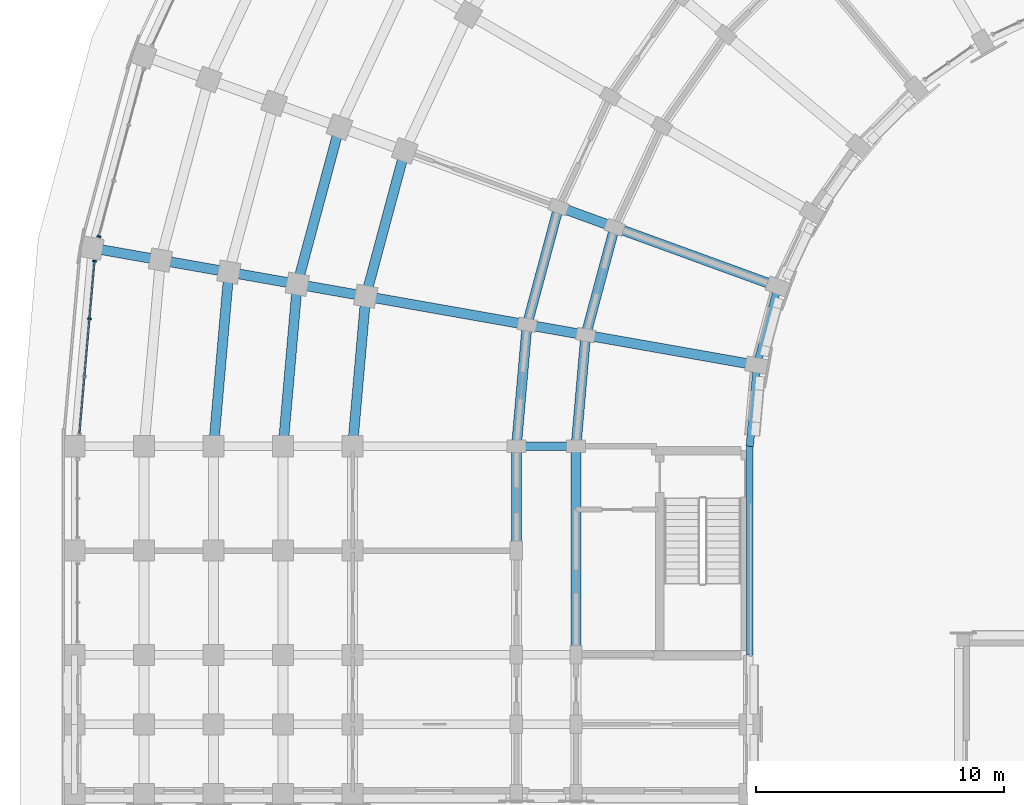
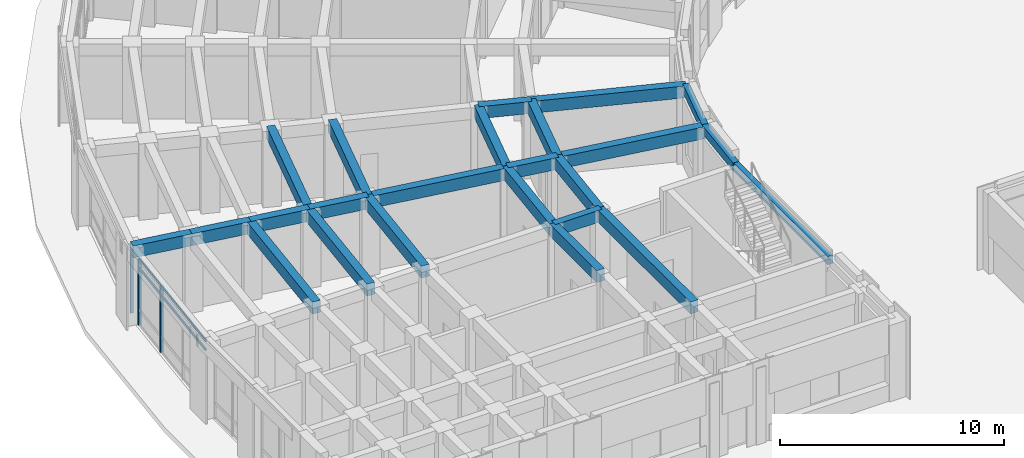
# One storey, part 34 of 135: 24 beams, 5 members, 2 elements without a shape of their own.
"""IFC4 building model written with IfcOpenShell, lengths in metres."""

from ifc_helpers import new_model, si_unit, direction, frame, origin, origin_2d, place, context, subcontext, project, spatial, rectangle, extrude, material, material_profile, profile_set, type_object, element, aggregate, save


model = new_model("IFC4")

# Units and contexts
model_context = context("Model", 3, precision=1e-05, world=origin(), true_north=direction((0.0, 1.0)))
body_context = subcontext(model_context, "Body", "Model", "MODEL_VIEW")
ifc_project = project(units=[si_unit("LENGTHUNIT", "METRE"), si_unit("AREAUNIT", "SQUARE_METRE"), si_unit("VOLUMEUNIT", "CUBIC_METRE"), si_unit("PLANEANGLEUNIT", "RADIAN"), si_unit("MASSUNIT", "GRAM", prefix="KILO")], contexts=[model_context])

# Site, building, storey
site_placement = place(None, origin())
site = spatial("IfcSite", under=ifc_project, at=site_placement, CompositionType="ELEMENT")
building_placement = place(site_placement, origin())
building = spatial("IfcBuilding", under=site, at=building_placement, Name="Kiranvali Square Residences", CompositionType="ELEMENT")
storey_placement = place(building_placement, origin())
storey = spatial("IfcBuildingStorey", under=building, at=storey_placement, Name="L00", CompositionType="ELEMENT", Elevation=0.0)

# Beams
ifc_material_1 = material(Name="Concrete M40 (40 MPa)", Category="concrete")
ifc_material_profile_1 = material_profile(ifc_material_1, rectangle(XDim=0.35009765625, YDim=0.64990234375, at=origin_2d()), Name="RC 350x650")
ifc_profile_set_1 = profile_set([ifc_material_profile_1], Name="Concrete M40 (40 MPa)")
beam_type_1 = type_object("IfcBeamType", Name="BM-M40-350x650", PredefinedType="BEAM", material=ifc_profile_set_1)
beam_1_placement = place(storey_placement, frame((22.39990234375, 87.800048828125, 3.824951171875), z_axis=(-1.0, 0.0, 0.0), x_axis=(0.0, -1.0, 0.0)))
element("IfcBeam", 1, at=beam_1_placement, inside=storey, type_object=beam_type_1, Name="L00 beam BM-A-L00-A2T0-12", PredefinedType="BEAM", context=body_context, shape_type="SweptSolid", body=[
    extrude(rectangle(XDim=0.35009765625, YDim=0.64990234375, at=origin_2d()), origin(), (0.0, 0.0, 1.0), 2.39990234375),
])
ifc_material_2 = material(Name="Concrete M45 (45 MPa)", Category="concrete")
ifc_material_profile_2 = material_profile(ifc_material_2, rectangle(XDim=0.39990234375, YDim=0.64990234375, at=origin_2d()), Name="RC 400x650")
ifc_profile_set_2 = profile_set([ifc_material_profile_2], Name="Concrete M45 (45 MPa)")
beam_type_2 = type_object("IfcBeamType", Name="BM-M45-400x650", PredefinedType="BEAM", material=ifc_profile_set_2)
beam_2_placement = place(storey_placement, frame((23.955810546875, 96.6240234375, 3.824951171875), z_axis=(-0.258787642463, -0.965934240054, 0.0), x_axis=(0.965934240054, -0.258787642463, 0.0)))
element("IfcBeam", 2, at=beam_2_placement, inside=storey, type_object=beam_type_2, Name="L00 beam BM-A-L00-C07-R1", PredefinedType="BEAM", context=body_context, shape_type="SweptSolid", body=[
    extrude(rectangle(XDim=0.39990234375, YDim=0.64990234375, at=origin_2d()), origin(), (0.0, 0.0, 1.0), 4.497314453125),
])
beam_3_placement = place(storey_placement, frame((21.70068359375, 97.445068359375, 3.824951171875), z_axis=(-0.258803112091, -0.965930095386, 0.0), x_axis=(0.965930095386, -0.258803112091, 0.0)))
element("IfcBeam", 3, at=beam_3_placement, inside=storey, type_object=beam_type_2, Name="L00 beam BM-A-L00-C07-R2", PredefinedType="BEAM", context=body_context, shape_type="SweptSolid", body=[
    extrude(rectangle(XDim=0.39990234375, YDim=0.64990234375, at=origin_2d()), origin(), (0.0, 0.0, 1.0), 4.915771484375),
])
beam_4_placement = place(storey_placement, frame((15.498779296875, 99.702392578125, 3.824951171875), z_axis=(-0.258827283048, -0.965923618901, 0.0), x_axis=(0.965923618901, -0.258827283048, 0.0)))
element("IfcBeam", 4, at=beam_4_placement, inside=storey, type_object=beam_type_2, Name="L00 beam BM-A-L00-C07-R3", PredefinedType="BEAM", context=body_context, shape_type="SweptSolid", body=[
    extrude(rectangle(XDim=0.39990234375, YDim=0.64990234375, at=origin_2d()), origin(), (0.0, 0.0, 1.0), 6.066162109375),
])
beam_5_placement = place(storey_placement, frame((12.86767578125, 100.659912109375, 3.824951171875), z_axis=(-0.258847178297, -0.965918287583, 0.0), x_axis=(0.965918287583, -0.258847178297, 0.0)))
element("IfcBeam", 5, at=beam_5_placement, inside=storey, type_object=beam_type_2, Name="L00 beam BM-A-L00-C07-R4", PredefinedType="BEAM", context=body_context, shape_type="SweptSolid", body=[
    extrude(rectangle(XDim=0.39990234375, YDim=0.64990234375, at=origin_2d()), origin(), (0.0, 0.0, 1.0), 6.55419921875),
])
beam_6_placement = place(storey_placement, frame((22.7919921875, 92.280029296875, 3.824951171875), z_axis=(-0.087187153726, -0.996191949488, 0.0), x_axis=(0.996191949488, -0.087187153726, 0.0)))
element("IfcBeam", 6, at=beam_6_placement, inside=storey, type_object=beam_type_2, Name="L00 beam BM-A-L00-C08-R1", PredefinedType="BEAM", context=body_context, shape_type="SweptSolid", body=[
    extrude(rectangle(XDim=0.39990234375, YDim=0.64990234375, at=origin_2d()), origin(), (0.0, 0.0, 1.0), 4.4970703125),
])
beam_7_placement = place(storey_placement, frame((20.428466796875, 92.69677734375, 3.824951171875), z_axis=(-0.087167566415, -0.996193663584, 0.0), x_axis=(0.996193663584, -0.087167566415, 0.0)))
element("IfcBeam", 7, at=beam_7_placement, inside=storey, type_object=beam_type_2, Name="L00 beam BM-A-L00-C08-R2", PredefinedType="BEAM", context=body_context, shape_type="SweptSolid", body=[
    extrude(rectangle(XDim=0.39990234375, YDim=0.64990234375, at=origin_2d()), origin(), (0.0, 0.0, 1.0), 4.91552734375),
])
beam_8_placement = place(storey_placement, frame((13.9287109375, 93.843017578125, 3.824951171875), z_axis=(-0.087174938512, -0.996193018494, 0.0), x_axis=(0.996193018494, -0.087174938512, 0.0)))
element("IfcBeam", 8, at=beam_8_placement, inside=storey, type_object=beam_type_2, Name="L00 beam BM-A-L00-C08-R3", PredefinedType="BEAM", context=body_context, shape_type="SweptSolid", body=[
    extrude(rectangle(XDim=0.39990234375, YDim=0.64990234375, at=origin_2d()), origin(), (0.0, 0.0, 1.0), 6.066162109375),
])
beam_9_placement = place(storey_placement, frame((11.171142578125, 94.3291015625, 3.824951171875), z_axis=(-0.0871295204, -0.996196991902, 0.0), x_axis=(0.996196991902, -0.0871295204, 0.0)))
element("IfcBeam", 9, at=beam_9_placement, inside=storey, type_object=beam_type_2, Name="L00 beam BM-A-L00-C08-R4", PredefinedType="BEAM", context=body_context, shape_type="SweptSolid", body=[
    extrude(rectangle(XDim=0.39990234375, YDim=0.64990234375, at=origin_2d()), origin(), (0.0, 0.0, 1.0), 6.553955078125),
])
beam_10_placement = place(storey_placement, frame((8.413818359375, 94.8154296875, 3.824951171875), z_axis=(-0.087156198737, -0.996194658198, 0.0), x_axis=(0.996194658198, -0.087156198737, 0.0)))
element("IfcBeam", 10, at=beam_10_placement, inside=storey, type_object=beam_type_2, Name="L00 beam BM-A-L00-C08-R5", PredefinedType="BEAM", context=body_context, shape_type="SweptSolid", body=[
    extrude(rectangle(XDim=0.39990234375, YDim=0.64990234375, at=origin_2d()), origin(), (0.0, 0.0, 1.0), 7.042236328125),
])
beam_11_placement = place(storey_placement, frame((30.53369140625, 94.22998046875, 3.824951171875), z_axis=(-0.939697665127, 0.342006283793, 0.0), x_axis=(-0.342006283793, -0.939697665127, 0.0)))
element("IfcBeam", 11, at=beam_11_placement, inside=storey, type_object=beam_type_2, Name="L00 beam BM-A-L00-RAD07-01", PredefinedType="BEAM", context=body_context, shape_type="SweptSolid", body=[
    extrude(rectangle(XDim=0.39990234375, YDim=0.64990234375, at=origin_2d()), origin(), (0.0, 0.0, 1.0), 7.0),
])
beam_12_placement = place(storey_placement, frame((23.955810546875, 96.6240234375, 3.824951171875), z_axis=(-0.939659694648, 0.342110593602, 0.0), x_axis=(-0.342110593602, -0.939659694648, 0.0)))
element("IfcBeam", 12, at=beam_12_placement, inside=storey, type_object=beam_type_2, Name="L00 beam BM-A-L00-RAD07-12", PredefinedType="BEAM", context=body_context, shape_type="SweptSolid", body=[
    extrude(rectangle(XDim=0.39990234375, YDim=0.64990234375, at=origin_2d()), origin(), (0.0, 0.0, 1.0), 2.39990234375),
])
beam_13_placement = place(storey_placement, frame((29.685546875, 91.064697265625, 3.824951171875), z_axis=(-0.984812337125, 0.173622177865, 0.0), x_axis=(-0.173622177865, -0.984812337125, 0.0)))
element("IfcBeam", 13, at=beam_13_placement, inside=storey, type_object=beam_type_2, Name="L00 beam BM-A-L00-RAD08-01", PredefinedType="BEAM", context=body_context, shape_type="SweptSolid", body=[
    extrude(rectangle(XDim=0.39990234375, YDim=0.64990234375, at=origin_2d()), origin(), (0.0, 0.0, 1.0), 6.999755859375),
])
beam_14_placement = place(storey_placement, frame((22.7919921875, 92.280029296875, 3.824951171875), z_axis=(-0.984808127031, 0.173646056486, 0.0), x_axis=(-0.173646056486, -0.984808127031, 0.0)))
element("IfcBeam", 14, at=beam_14_placement, inside=storey, type_object=beam_type_2, Name="L00 beam BM-A-L00-RAD08-12", PredefinedType="BEAM", context=body_context, shape_type="SweptSolid", body=[
    extrude(rectangle(XDim=0.39990234375, YDim=0.64990234375, at=origin_2d()), origin(), (0.0, 0.0, 1.0), 2.39990234375),
])
beam_15_placement = place(storey_placement, frame((20.428466796875, 92.69677734375, 3.824951171875), z_axis=(-0.984803661269, 0.173671381499, 0.0), x_axis=(-0.173671381499, -0.984803661269, 0.0)))
element("IfcBeam", 15, at=beam_15_placement, inside=storey, type_object=beam_type_2, Name="L00 beam BM-A-L00-RAD08-23", PredefinedType="BEAM", context=body_context, shape_type="SweptSolid", body=[
    extrude(rectangle(XDim=0.39990234375, YDim=0.64990234375, at=origin_2d()), origin(), (0.0, 0.0, 1.0), 6.60009765625),
])
beam_16_placement = place(storey_placement, frame((13.9287109375, 93.843017578125, 3.824951171875), z_axis=(-0.984816895441, 0.173596320392, 0.0), x_axis=(-0.173596320392, -0.984816895441, 0.0)))
element("IfcBeam", 16, at=beam_16_placement, inside=storey, type_object=beam_type_2, Name="L00 beam BM-A-L00-RAD08-34", PredefinedType="BEAM", context=body_context, shape_type="SweptSolid", body=[
    extrude(rectangle(XDim=0.39990234375, YDim=0.64990234375, at=origin_2d()), origin(), (0.0, 0.0, 1.0), 2.800048828125),
])
beam_17_placement = place(storey_placement, frame((11.171142578125, 94.3291015625, 3.824951171875), z_axis=(-0.984799355489, 0.173695795656, 0.0), x_axis=(-0.173695795656, -0.984799355489, 0.0)))
element("IfcBeam", 17, at=beam_17_placement, inside=storey, type_object=beam_type_2, Name="L00 beam BM-A-L00-RAD08-45", PredefinedType="BEAM", context=body_context, shape_type="SweptSolid", body=[
    extrude(rectangle(XDim=0.39990234375, YDim=0.64990234375, at=origin_2d()), origin(), (0.0, 0.0, 1.0), 2.7998046875),
])
beam_18_placement = place(storey_placement, frame((8.413818359375, 94.8154296875, 3.824951171875), z_axis=(-0.984816895441, 0.173596320392, 0.0), x_axis=(-0.173596320392, -0.984816895441, 0.0)))
element("IfcBeam", 18, at=beam_18_placement, inside=storey, type_object=beam_type_2, Name="L00 beam BM-A-L00-RAD08-56", PredefinedType="BEAM", context=body_context, shape_type="SweptSolid", body=[
    extrude(rectangle(XDim=0.39990234375, YDim=0.64990234375, at=origin_2d()), origin(), (0.0, 0.0, 1.0), 2.800048828125),
])
beam_19_placement = place(storey_placement, frame((5.65625, 95.301513671875, 3.824951171875), z_axis=(-0.984799355489, 0.173695795656, 0.0), x_axis=(-0.173695795656, -0.984799355489, 0.0)))
element("IfcBeam", 19, at=beam_19_placement, inside=storey, type_object=beam_type_2, Name="L00 beam BM-A-L00-RAD08-67", PredefinedType="BEAM", context=body_context, shape_type="SweptSolid", body=[
    extrude(rectangle(XDim=0.39990234375, YDim=0.64990234375, at=origin_2d()), origin(), (0.0, 0.0, 1.0), 2.7998046875),
])
beam_20_placement = place(storey_placement, frame((22.39990234375, 87.800048828125, 3.824951171875), z_axis=(0.0, -1.0, 0.0), x_axis=(1.0, 0.0, 0.0)))
element("IfcBeam", 20, at=beam_20_placement, inside=storey, type_object=beam_type_2, Name="L00 beam BM-A-L00-A2V0-R1", PredefinedType="BEAM", context=body_context, shape_type="SweptSolid", body=[
    extrude(rectangle(XDim=0.39990234375, YDim=0.64990234375, at=origin_2d()), origin(), (0.0, 0.0, 1.0), 8.400146484375),
])
beam_21_placement = place(storey_placement, frame((20.0, 87.800048828125, 3.824951171875), z_axis=(0.0, -1.0, 0.0), x_axis=(1.0, 0.0, 0.0)))
element("IfcBeam", 21, at=beam_21_placement, inside=storey, type_object=beam_type_2, Name="L00 beam BM-A-L00-A2V0-R2", PredefinedType="BEAM", context=body_context, shape_type="SweptSolid", body=[
    extrude(rectangle(XDim=0.39990234375, YDim=0.64990234375, at=origin_2d()), origin(), (0.0, 0.0, 1.0), 4.199951171875),
])

# Curtain wall, member
ifc_material_3 = material(Name="Anodised bronze aluminium framing", Category="aluminium")
curtain_wall_type = type_object("IfcCurtainWallType", Name="CW-RET-SHOP", PredefinedType="USERDEFINED", material=ifc_material_3)
curtain_wall_1_placement = place(storey_placement, origin())
curtain_wall_1 = element("IfcCurtainWall", 22, at=curtain_wall_1_placement, inside=storey, type_object=curtain_wall_type, Name="Block A L00 rounded-corner arcade curtain wall 8", ObjectType="CURTAIN WALL", PredefinedType="USERDEFINED")
ifc_material_profile_3 = material_profile(ifc_material_3, rectangle(XDim=0.06494140625, YDim=0.159912109375, at=origin_2d()), Name="ALU 65x160")
ifc_profile_set_3 = profile_set([ifc_material_profile_3], Name="Anodised bronze aluminium framing")
member_type_1 = type_object("IfcMemberType", Name="CW-MUL-160", PredefinedType="MULLION", material=ifc_profile_set_3)
member_1_placement = place(storey_placement, frame((3.17822265625, 96.251220703125, 0.02001953125), z_axis=(0.0, 0.0, 1.0), x_axis=(-0.258819045103, -0.965925826289, 0.0)))
member_1 = element("IfcMember", 23, at=member_1_placement, type_object=member_type_1, Name="CW-A-L00-CRV-07 vertical mullion 4", PredefinedType="MULLION", context=body_context, shape_type="SweptSolid", body=[
    extrude(rectangle(XDim=0.06494140625, YDim=0.159912109375, at=origin_2d()), origin(), (0.0, 0.0, 1.0), 3.60986328125),
])
aggregate(curtain_wall_1, [member_1])

# Curtain wall, members
curtain_wall_2_placement = place(storey_placement, origin())
curtain_wall_2 = element("IfcCurtainWall", 24, at=curtain_wall_2_placement, inside=storey, type_object=curtain_wall_type, Name="Block A L00 rounded-corner arcade curtain wall 9", ObjectType="CURTAIN WALL", PredefinedType="USERDEFINED")
member_2_placement = place(storey_placement, frame((3.0029296875, 95.2568359375, 0.02001953125), z_axis=(0.0, 0.0, 1.0), x_axis=(-0.087155742748, -0.996194698092, 0.0)))
member_2 = element("IfcMember", 25, at=member_2_placement, type_object=member_type_1, Name="CW-A-L00-CRV-08 vertical mullion 1", PredefinedType="MULLION", context=body_context, shape_type="SweptSolid", body=[
    extrude(rectangle(XDim=0.06494140625, YDim=0.159912109375, at=origin_2d()), origin(), (0.0, 0.0, 1.0), 3.60986328125),
])
member_3_placement = place(storey_placement, frame((2.80029296875, 92.939453125, 0.02001953125), z_axis=(0.0, 0.0, 1.0), x_axis=(-0.087155742748, -0.996194698092, 0.0)))
member_3 = element("IfcMember", 26, at=member_3_placement, type_object=member_type_1, Name="CW-A-L00-CRV-08 vertical mullion 2", PredefinedType="MULLION", context=body_context, shape_type="SweptSolid", body=[
    extrude(rectangle(XDim=0.06494140625, YDim=0.159912109375, at=origin_2d()), origin(), (0.0, 0.0, 1.0), 3.60986328125),
])
ifc_material_profile_4 = material_profile(ifc_material_3, rectangle(XDim=0.06494140625, YDim=0.139892578125, at=origin_2d()), Name="ALU 65x140")
ifc_profile_set_4 = profile_set([ifc_material_profile_4], Name="Anodised bronze aluminium framing")
member_type_2 = type_object("IfcMemberType", Name="CW-TRN-140", PredefinedType="MULLION", material=ifc_profile_set_4)
member_4_placement = place(storey_placement, frame((3.002197265625, 95.246826171875, 3.10009765625), z_axis=(-0.087188277046, -0.996191851174, 0.0), x_axis=(0.996191851174, -0.087188277046, 0.0)))
member_4 = element("IfcMember", 27, at=member_4_placement, type_object=member_type_2, Name="CW-A-L00-CRV-08 horizontal transom 3", PredefinedType="MULLION", context=body_context, shape_type="SweptSolid", body=[
    extrude(rectangle(XDim=0.06494140625, YDim=0.139892578125, at=origin_2d()), origin(), (0.0, 0.0, 1.0), 6.95849609375),
])
member_5_placement = place(storey_placement, frame((3.002197265625, 95.246826171875, 3.610107421875), z_axis=(-0.087188277046, -0.996191851174, 0.0), x_axis=(0.996191851174, -0.087188277046, 0.0)))
member_5 = element("IfcMember", 28, at=member_5_placement, type_object=member_type_2, Name="CW-A-L00-CRV-08 horizontal transom 4", PredefinedType="MULLION", context=body_context, shape_type="SweptSolid", body=[
    extrude(rectangle(XDim=0.06494140625, YDim=0.139892578125, at=origin_2d()), origin(), (0.0, 0.0, 1.0), 6.95849609375),
])
aggregate(curtain_wall_2, [member_2, member_3, member_4, member_5])

# Beams
ifc_material_profile_5 = material_profile(ifc_material_1, rectangle(XDim=0.25, YDim=0.449951171875, at=origin_2d()), Name="RC 250x450")
ifc_profile_set_5 = profile_set([ifc_material_profile_5], Name="Concrete M40 (40 MPa)")
beam_type_3 = type_object("IfcBeamType", Name="SPN-M40-250x450", PredefinedType="SPANDREL", material=ifc_profile_set_5)
beam_22_placement = place(storey_placement, frame((29.39990234375, 87.800048828125, 3.925048828125), z_axis=(0.0, -1.0, 0.0), x_axis=(1.0, 0.0, 0.0)))
element("IfcBeam", 29, at=beam_22_placement, inside=storey, type_object=beam_type_3, Name="L00 beam BM-A-L00-A2V0-R0", PredefinedType="SPANDREL", context=body_context, shape_type="SweptSolid", body=[
    extrude(rectangle(XDim=0.25, YDim=0.449951171875, at=origin_2d()), origin(), (0.0, 0.0, 1.0), 8.400146484375),
])
ifc_material_profile_6 = material_profile(ifc_material_1, rectangle(XDim=0.300048828125, YDim=0.449951171875, at=origin_2d()), Name="RC 300x450")
ifc_profile_set_6 = profile_set([ifc_material_profile_6], Name="Concrete M40 (40 MPa)")
beam_type_4 = type_object("IfcBeamType", Name="SPN-M40-300x450", PredefinedType="SPANDREL", material=ifc_profile_set_6)
beam_23_placement = place(storey_placement, frame((30.53369140625, 94.22998046875, 3.925048828125), z_axis=(-0.258821736607, -0.965925105099, 0.0), x_axis=(0.965925105099, -0.258821736607, 0.0)))
element("IfcBeam", 30, at=beam_23_placement, inside=storey, type_object=beam_type_4, Name="L00 beam BM-A-L00-C07-R0", PredefinedType="SPANDREL", context=body_context, shape_type="SweptSolid", body=[
    extrude(rectangle(XDim=0.300048828125, YDim=0.449951171875, at=origin_2d()), origin(), (0.0, 0.0, 1.0), 3.27685546875),
])
beam_24_placement = place(storey_placement, frame((29.685546875, 91.064697265625, 3.925048828125), z_axis=(-0.087163253657, -0.996194040944, 0.0), x_axis=(0.996194040944, -0.087163253657, 0.0)))
element("IfcBeam", 31, at=beam_24_placement, inside=storey, type_object=beam_type_4, Name="L00 beam BM-A-L00-C08-R0", PredefinedType="SPANDREL", context=body_context, shape_type="SweptSolid", body=[
    extrude(rectangle(XDim=0.300048828125, YDim=0.449951171875, at=origin_2d()), origin(), (0.0, 0.0, 1.0), 3.277099609375),
])

save(model, "model.ifc")
